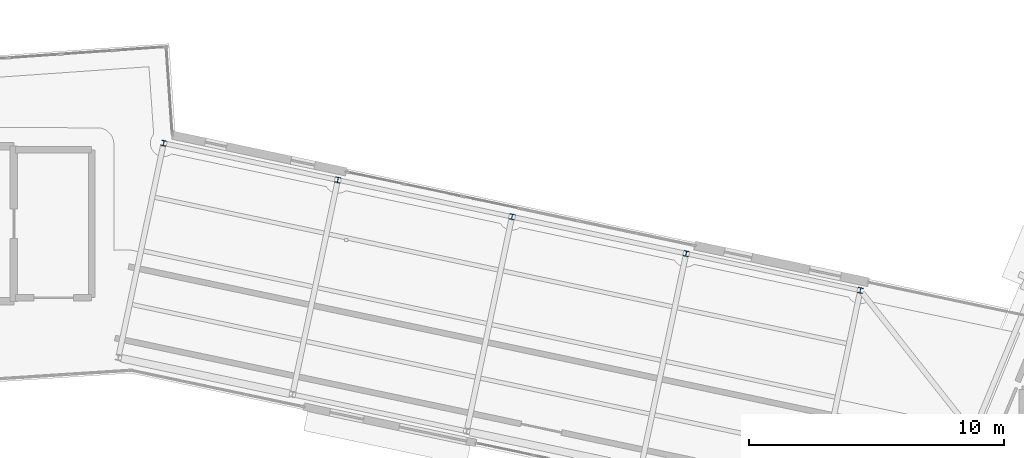
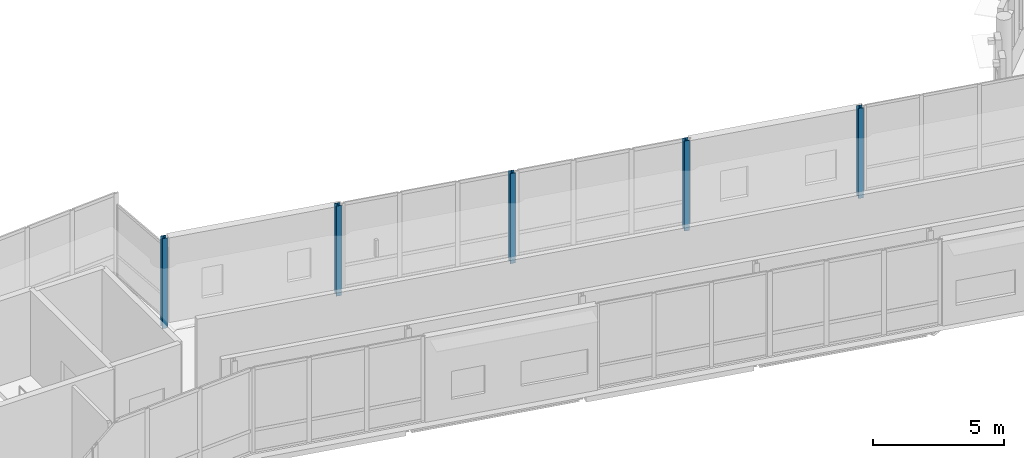
# One storey, part 8 of 125: 5 columns.
"""IFC4 building model written with IfcOpenShell, lengths in metres."""

from ifc_helpers import new_model, si_unit, direction, frame, origin, origin_2d, place, context, subcontext, project, spatial, i_section, extrude, material, material_profile, profile_set, type_object, element, save


model = new_model("IFC4")

# Units and contexts
model_context = context("Model", 3, precision=1e-05, world=origin(), true_north=direction((0.0, 1.0)))
body_context = subcontext(model_context, "Body", "Model", "MODEL_VIEW")
ifc_project = project(units=[si_unit("LENGTHUNIT", "METRE"), si_unit("AREAUNIT", "SQUARE_METRE"), si_unit("VOLUMEUNIT", "CUBIC_METRE"), si_unit("PLANEANGLEUNIT", "RADIAN"), si_unit("MASSUNIT", "GRAM", prefix="KILO")], contexts=[model_context])

# Site, building, storey
site_placement = place(None, origin())
site = spatial("IfcSite", under=ifc_project, at=site_placement, CompositionType="ELEMENT")
building_placement = place(site_placement, origin())
building = spatial("IfcBuilding", under=site, at=building_placement, Name="Wrenclough Park School", CompositionType="ELEMENT")
storey_placement = place(building_placement, frame((0.0, 0.0, 4.199951171875)))
storey = spatial("IfcBuildingStorey", under=building, at=storey_placement, Name="L01", CompositionType="ELEMENT", Elevation=4.199951171875)

# Columns
ifc_material = material(Name="Structural steel S355", Category="steel")
ifc_material_profile = material_profile(ifc_material, i_section(OverallWidth=0.205810546875, OverallDepth=0.209716796875, WebThickness=0.009521484375, FlangeThickness=0.01416015625, FilletRadius=0.01025390625, at=origin_2d()), Name="UKC 203x203x60")
ifc_profile_set = profile_set([ifc_material_profile], Name="Structural steel S355")
column_type = type_object("IfcColumnType", Name="STR-COL-UKC203B", PredefinedType="COLUMN", material=ifc_profile_set)
for number, where, z_axis, x_axis, name in (
    (1, (101.72265625, 42.2626953125, 0.0), (0.0, 0.0, 1.0), (0.978364788978, -0.206887263232, 0.0), "W12 L01 column W12-C2-L01"),
    (2, (108.555908203125, 40.818115234375, 0.0), (0.0, 0.0, 1.0), (0.978364788978, -0.206887263232, 0.0), "W12 L01 column W12-C2-L02"),
    (3, (115.389404296875, 39.373779296875, 0.0), (0.0, 0.0, 1.0), (0.978364788978, -0.206887263232, 0.0), "W12 L01 column W12-C2-L03"),
    (4, (122.22265625, 37.92919921875, 0.0), (0.0, 0.0, 1.0), (0.978364788978, -0.206887263232, 0.0), "W12 L01 column W12-C2-L04"),
    (5, (129.055908203125, 36.48486328125, 0.0), (0.0, 0.0, 1.0), (0.978364788978, -0.206887263232, 0.0), "W12 L01 column W12-C2-L05"),
):
    element("IfcColumn", number, at=place(storey_placement, frame(where, z_axis=z_axis, x_axis=x_axis)), inside=storey, type_object=column_type, Name=name, PredefinedType="COLUMN", context=body_context, shape_type="SweptSolid", body=[
        extrude(i_section(OverallWidth=0.205810546875, OverallDepth=0.209716796875, WebThickness=0.009521484375, FlangeThickness=0.01416015625, FilletRadius=0.01025390625, at=origin_2d()), origin(), (0.0, 0.0, 1.0), 4.199951171875),
    ])

save(model, "model.ifc")
